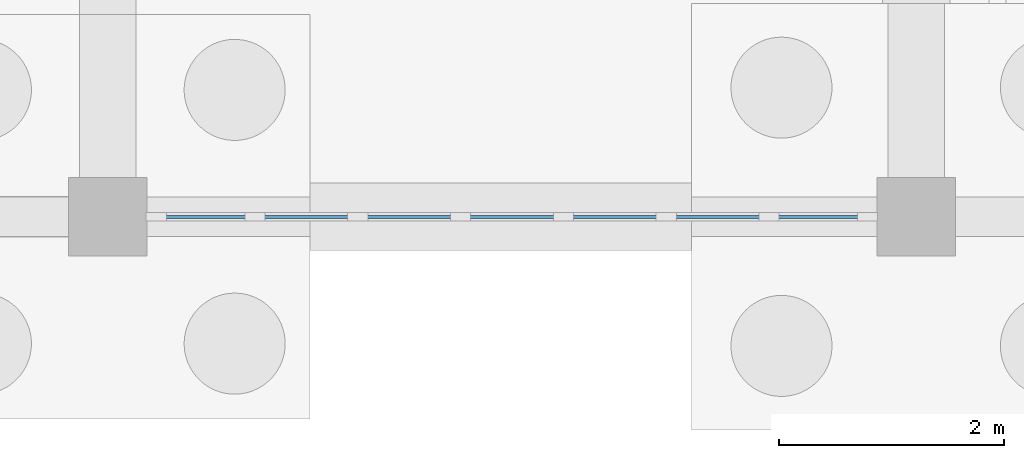
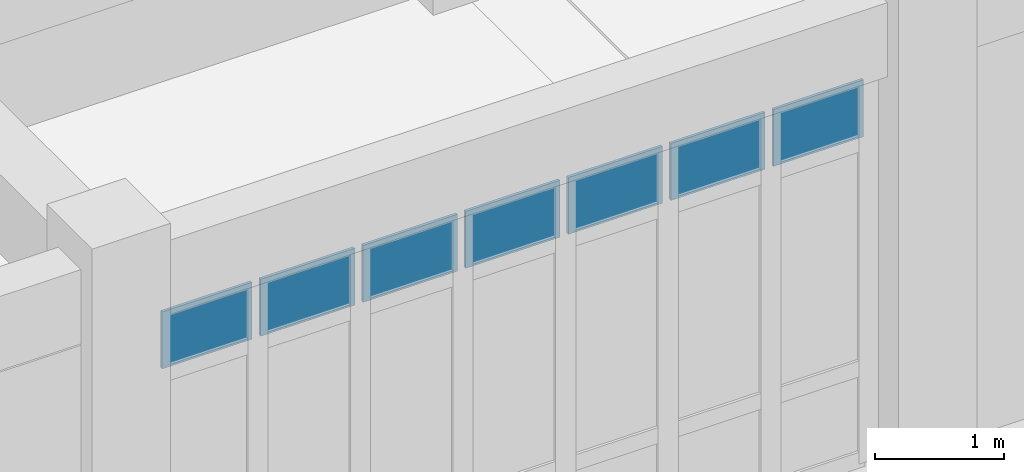
# One storey, part 54 of 79: 7 plates, 1 element without a shape of its own.
"""IFC4 building model written with IfcOpenShell, lengths in metres."""

from ifc_helpers import new_model, si_unit, direction, frame, origin, origin_2d, place, context, subcontext, project, spatial, rectangle, extrude, material, layer, layer_set, type_object, element, aggregate, save


model = new_model("IFC4")

# Units and contexts
model_context = context("Model", 3, precision=1e-05, world=origin(), true_north=direction((0.0, 1.0)))
body_context = subcontext(model_context, "Body", "Model", "MODEL_VIEW")
ifc_project = project(units=[si_unit("LENGTHUNIT", "METRE"), si_unit("AREAUNIT", "SQUARE_METRE"), si_unit("VOLUMEUNIT", "CUBIC_METRE"), si_unit("PLANEANGLEUNIT", "RADIAN"), si_unit("MASSUNIT", "GRAM", prefix="KILO")], contexts=[model_context])

# Site, building, storey
site_placement = place(None, origin())
site = spatial("IfcSite", under=ifc_project, at=site_placement, CompositionType="ELEMENT")
building_placement = place(site_placement, origin())
building = spatial("IfcBuilding", under=site, at=building_placement, Name="Kavelor Marine Aquarium", CompositionType="ELEMENT")
storey_placement = place(building_placement, origin())
storey = spatial("IfcBuildingStorey", under=building, at=storey_placement, Name="L00", CompositionType="ELEMENT", Elevation=0.0)

# Curtain wall, plates
ifc_material_1 = material(Name="Thermally Broken Aluminium and Low-E Glass", Category="aluminium")
ifc_layer_1 = layer(ifc_material_1, 0.14794921875)
ifc_layer_set_1 = layer_set([ifc_layer_1], Name="CW-SYS1")
curtain_wall_type = type_object("IfcCurtainWallType", Name="CW-SYS1", PredefinedType="USERDEFINED", material=ifc_layer_set_1)
curtain_wall_placement = place(storey_placement, origin())
curtain_wall = element("IfcCurtainWall", 1, at=curtain_wall_placement, inside=storey, type_object=curtain_wall_type, Name="cw:x:L00:07_12", ObjectType="Curtain Wall", PredefinedType="USERDEFINED")
ifc_material_2 = material(Name="Solar-Control Double Low-E Glazing", Category="glass")
ifc_layer_2 = layer(ifc_material_2, 0.02587890625)
ifc_layer_set_2 = layer_set([ifc_layer_2], Name="CWP-01")
plate_type = type_object("IfcPlateType", Name="CWP-01", PredefinedType="CURTAIN_PANEL", material=ifc_layer_set_2)
plate_1_placement = place(storey_placement, frame((59.928466796875, 89.199951171875, 3.057373046875), z_axis=(0.0, 0.0, 1.0), x_axis=(-1.0, 0.0, 0.0)))
plate_1 = element("IfcPlate", 2, at=plate_1_placement, type_object=plate_type, Name="CW01 panel 1.3", PredefinedType="CURTAIN_PANEL", context=body_context, shape_type="SweptSolid", body=[
    extrude(rectangle(XDim=0.80322265625, YDim=0.02587890625, at=origin_2d()), origin(), (0.0, 0.0, 1.0), 0.53759765625),
])
plate_2_placement = place(storey_placement, frame((59.031494140625, 89.199951171875, 3.057373046875), z_axis=(0.0, 0.0, 1.0), x_axis=(-1.0, 0.0, 0.0)))
plate_2 = element("IfcPlate", 3, at=plate_2_placement, type_object=plate_type, Name="CW01 panel 2.3", PredefinedType="CURTAIN_PANEL", context=body_context, shape_type="SweptSolid", body=[
    extrude(rectangle(XDim=0.8408203125, YDim=0.02587890625, at=origin_2d()), origin(), (0.0, 0.0, 1.0), 0.53759765625),
])
plate_3_placement = place(storey_placement, frame((58.11572265625, 89.199951171875, 3.057373046875), z_axis=(0.0, 0.0, 1.0), x_axis=(-1.0, 0.0, 0.0)))
plate_3 = element("IfcPlate", 4, at=plate_3_placement, type_object=plate_type, Name="CW01 panel 3.3", PredefinedType="CURTAIN_PANEL", context=body_context, shape_type="SweptSolid", body=[
    extrude(rectangle(XDim=0.8408203125, YDim=0.02587890625, at=origin_2d()), origin(), (0.0, 0.0, 1.0), 0.53759765625),
])
plate_4_placement = place(storey_placement, frame((57.199951171875, 89.199951171875, 3.057373046875), z_axis=(0.0, 0.0, 1.0), x_axis=(-1.0, 0.0, 0.0)))
plate_4 = element("IfcPlate", 5, at=plate_4_placement, type_object=plate_type, Name="CW01 panel 4.3", PredefinedType="CURTAIN_PANEL", context=body_context, shape_type="SweptSolid", body=[
    extrude(rectangle(XDim=0.8408203125, YDim=0.02587890625, at=origin_2d()), origin(), (0.0, 0.0, 1.0), 0.53759765625),
])
plate_5_placement = place(storey_placement, frame((56.2841796875, 89.199951171875, 3.057373046875), z_axis=(0.0, 0.0, 1.0), x_axis=(-1.0, 0.0, 0.0)))
plate_5 = element("IfcPlate", 6, at=plate_5_placement, type_object=plate_type, Name="CW01 panel 5.3", PredefinedType="CURTAIN_PANEL", context=body_context, shape_type="SweptSolid", body=[
    extrude(rectangle(XDim=0.8408203125, YDim=0.02587890625, at=origin_2d()), origin(), (0.0, 0.0, 1.0), 0.53759765625),
])
plate_6_placement = place(storey_placement, frame((55.36865234375, 89.199951171875, 3.057373046875), z_axis=(0.0, 0.0, 1.0), x_axis=(-1.0, 0.0, 0.0)))
plate_6 = element("IfcPlate", 7, at=plate_6_placement, type_object=plate_type, Name="CW01 panel 6.3", PredefinedType="CURTAIN_PANEL", context=body_context, shape_type="SweptSolid", body=[
    extrude(rectangle(XDim=0.8408203125, YDim=0.02587890625, at=origin_2d()), origin(), (0.0, 0.0, 1.0), 0.53759765625),
])
plate_7_placement = place(storey_placement, frame((54.4716796875, 89.199951171875, 3.057373046875), z_axis=(0.0, 0.0, 1.0), x_axis=(-1.0, 0.0, 0.0)))
plate_7 = element("IfcPlate", 8, at=plate_7_placement, type_object=plate_type, Name="CW01 panel 7.3", PredefinedType="CURTAIN_PANEL", context=body_context, shape_type="SweptSolid", body=[
    extrude(rectangle(XDim=0.80322265625, YDim=0.02587890625, at=origin_2d()), origin(), (0.0, 0.0, 1.0), 0.53759765625),
])
aggregate(curtain_wall, [plate_1, plate_2, plate_3, plate_4, plate_5, plate_6, plate_7])

save(model, "model.ifc")
